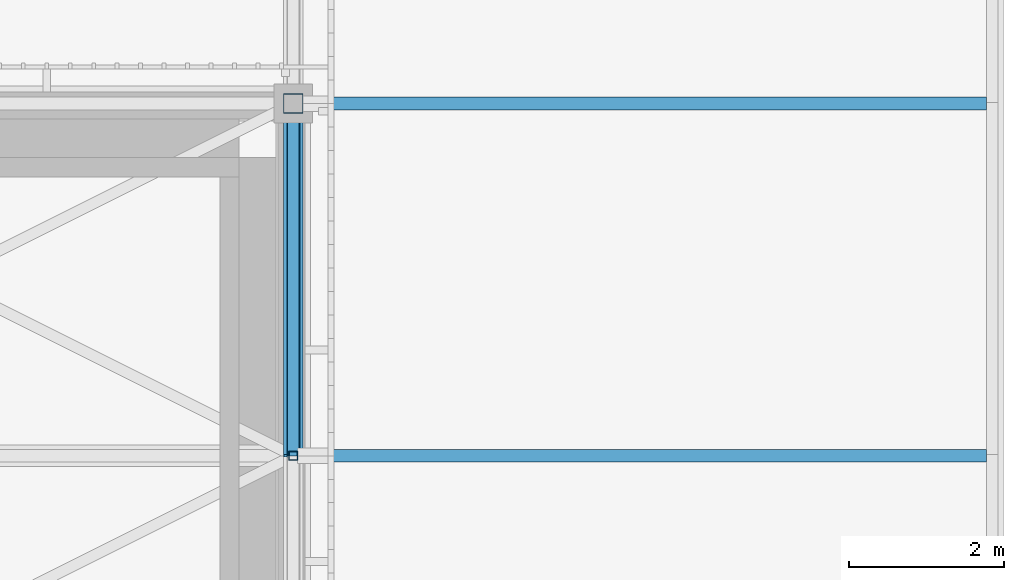
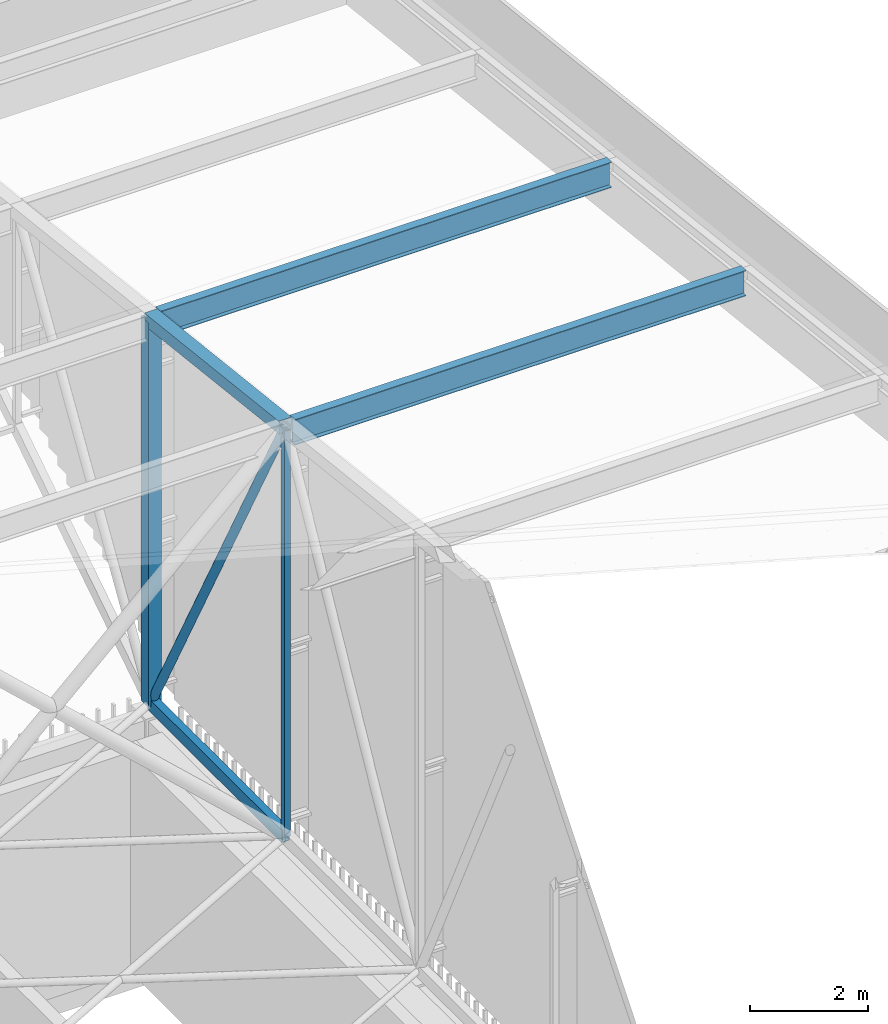
# One storey, part 407 of 500: 7 members.
"""IFC4 building model written with IfcOpenShell, lengths in metres."""

import ifcopenshell
import ifcopenshell.guid

model = None  # the IFC model being written
_history = None  # IfcOwnerHistory: only IFC2X3 demands one
_inside = {}  # id of a spatial element -> (the spatial element, [elements in it])
_under = {}  # id of a project, library or spatial element -> (it, [spatial elements below it])
_declared = {}  # id of a project -> (the project, [libraries it declares])
_typed = {}  # id of a type object -> (the type object, [elements of that type])
_made_of = {}  # id of a material, layer set ... -> (it, [elements and type objects made of it])


def new_model(schema):
    """Start an empty IFC model of exactly this schema.

    Asked for "IFC4X3", IfcOpenShell would pick the latest addendum, in which some entities
    have other attributes; the version numbers below select the first issue.
    IFC2X3 requires an IfcOwnerHistory on every rooted entity: one is made here for all.
    """
    global model, _history
    if schema == "IFC4X3":
        model = ifcopenshell.file(schema_version=(4, 3, 0, 0))
    else:
        model = ifcopenshell.file(schema=schema)
    _inside.clear()
    _under.clear()
    _declared.clear()
    _typed.clear()
    _made_of.clear()
    _history = None
    if model.schema == "IFC2X3":
        org = make("IfcOrganization", Name="unknown")
        user = make(
            "IfcPersonAndOrganization",
            ThePerson=make("IfcPerson", FamilyName="unknown"),
            TheOrganization=org,
        )
        app = make(
            "IfcApplication",
            ApplicationDeveloper=org,
            Version="unknown",
            ApplicationFullName="unknown",
            ApplicationIdentifier="unknown",
        )
        _history = make(
            "IfcOwnerHistory",
            OwningUser=user,
            OwningApplication=app,
            ChangeAction="ADDED",
            CreationDate=0,
        )
    return model


def make(cls, **values):
    """One entity of the class cls with the attributes given. An attribute that is None is left unset."""
    return model.create_entity(
        cls, **{name: value for name, value in values.items() if value is not None}
    )


def rooted(cls, **values):
    """An entity with a GlobalId (a new one), such as an element, a storey or a relation."""
    return make(cls, GlobalId=ifcopenshell.guid.new(), OwnerHistory=_history, **values)


def si_unit(unit_type, name, prefix=None):
    """IfcSIUnit, for example si_unit("LENGTHUNIT", "METRE", prefix="MILLI")."""
    return make("IfcSIUnit", UnitType=unit_type, Prefix=prefix, Name=name)


def assignment(units):
    """IfcUnitAssignment: the units of a project."""
    return None if units is None else make("IfcUnitAssignment", Units=units)


def point(xyz):
    """IfcCartesianPoint."""
    return None if xyz is None else make("IfcCartesianPoint", Coordinates=xyz)


def direction(xyz):
    """IfcDirection."""
    return None if xyz is None else make("IfcDirection", DirectionRatios=xyz)


def frame(location, z_axis=None, x_axis=None):
    """IfcAxis2Placement3D, a coordinate frame: its origin and axes. An axis left out is left unset."""
    return make(
        "IfcAxis2Placement3D",
        Location=point(location),
        Axis=direction(z_axis),
        RefDirection=direction(x_axis),
    )


def frame_2d(location, x_axis=None):
    """IfcAxis2Placement2D, a coordinate frame in the plane: its origin and x axis."""
    return make(
        "IfcAxis2Placement2D", Location=point(location), RefDirection=direction(x_axis)
    )


def origin():
    """The frame at (0, 0, 0) with its axes left unset."""
    return frame((0.0, 0.0, 0.0))


def origin_2d():
    """The frame at (0, 0) in the plane with its x axis left unset."""
    return frame_2d((0.0, 0.0))


def place(relative_to, where):
    """IfcLocalPlacement: puts the frame where relative to a parent placement (None: the world)."""
    return make(
        "IfcLocalPlacement", PlacementRelTo=relative_to, RelativePlacement=where
    )


def context(
    kind, dimensions, precision=None, world=None, true_north=None, identifier=None
):
    """IfcGeometricRepresentationContext, for example the 3D "Model" context."""
    return make(
        "IfcGeometricRepresentationContext",
        ContextIdentifier=identifier,
        ContextType=kind,
        CoordinateSpaceDimension=dimensions,
        Precision=precision,
        WorldCoordinateSystem=world,
        TrueNorth=true_north,
    )


def subcontext(parent, identifier, kind, view, scale=None):
    """IfcGeometricRepresentationSubContext, for example "Body" below "Model"."""
    return make(
        "IfcGeometricRepresentationSubContext",
        ContextIdentifier=identifier,
        ContextType=kind,
        ParentContext=parent,
        TargetScale=scale,
        TargetView=view,
    )


def project(units=None, contexts=None):
    """IfcProject with its units and contexts."""
    return rooted(
        "IfcProject",
        Name="project",
        RepresentationContexts=contexts,
        UnitsInContext=assignment(units),
    )


def spatial(cls, under=None, at=None, **own):
    """A site, building, storey or space (cls), placed at a placement, below another one or the project."""
    s = rooted(cls, ObjectPlacement=at, **own)
    if under is not None:
        _under.setdefault(under.id(), (under, []))[1].append(s)
    return s


def profile(cls, at=None, kind="AREA", **sizes):
    """A parametric profile (cls). Its sizes go by their IFC names, for example OverallWidth=200.0."""
    return make(cls, ProfileType=kind, Position=at, **sizes)


def hollow_rectangle(**sizes):
    """IfcRectangleHollowProfileDef."""
    return profile("IfcRectangleHollowProfileDef", **sizes)


def hollow_circle(**sizes):
    """IfcCircleHollowProfileDef."""
    return profile("IfcCircleHollowProfileDef", **sizes)


def i_section(**sizes):
    """IfcIShapeProfileDef."""
    return profile("IfcIShapeProfileDef", **sizes)


def extrude(swept, where, along, depth):
    """IfcExtrudedAreaSolid: the profile swept, set in the frame where, extruded along a direction by depth."""
    return make(
        "IfcExtrudedAreaSolid",
        SweptArea=swept,
        Position=where,
        ExtrudedDirection=direction(along),
        Depth=depth,
    )


def shape(context_of_items, identifier, shape_type, items):
    """IfcShapeRepresentation: the items that make up one representation, for example the "Body"."""
    return make(
        "IfcShapeRepresentation",
        ContextOfItems=context_of_items,
        RepresentationIdentifier=identifier,
        RepresentationType=shape_type,
        Items=items,
    )


def material(Name=None, Category=None):
    """IfcMaterial."""
    return make("IfcMaterial", Name=Name, Category=Category)


def material_profile(
    of_material, cross_section, Name=None, Category=None, Priority=None
):
    """IfcMaterialProfile: a cross section and its material."""
    return make(
        "IfcMaterialProfile",
        Name=Name,
        Material=of_material,
        Profile=cross_section,
        Priority=Priority,
        Category=Category,
    )


def profile_set(profiles, Name=None, composite=None):
    """IfcMaterialProfileSet."""
    return make(
        "IfcMaterialProfileSet",
        Name=Name,
        MaterialProfiles=profiles,
        CompositeProfile=composite,
    )


def made_of(thing, what):
    """Note that an element or type object is made of a material, layer set ...; save() writes the relation."""
    if what is not None:
        _made_of.setdefault(what.id(), (what, []))[1].append(thing)
    return thing


def type_object(cls, material=None, **own):
    """A type object (cls), such as IfcWallType, which elements share."""
    return made_of(rooted(cls, **own), material)


def element(
    cls,
    number,
    at=None,
    inside=None,
    cuts=None,
    type_object=None,
    material=None,
    context=None,
    identifier="Body",
    shape_type=None,
    held_by="IfcProductDefinitionShape",
    body=None,
    shapes=None,
    **own,
):
    """One element of the class cls, such as IfcWall. Its Tag is "e" and its number.

    at: its placement. inside: the storey or other place that contains it. cuts: it is an
    opening in that element (IfcRelVoidsElement). A single representation is given by context,
    identifier, shape_type and body (its items); several are given by shapes. held_by: the class
    of the entity that holds the representations. save() writes the other relations.
    """
    e = rooted(cls, Tag="e%d" % number, ObjectPlacement=at, **own)
    if body is not None:
        shapes = [shape(context, identifier, shape_type, body)]
    if shapes is not None:
        e.Representation = make(held_by, Representations=shapes)
    if inside is not None:
        _inside.setdefault(inside.id(), (inside, []))[1].append(e)
    if cuts is not None:
        rooted(
            "IfcRelVoidsElement", RelatingBuildingElement=cuts, RelatedOpeningElement=e
        )
    if type_object is not None:
        _typed.setdefault(type_object.id(), (type_object, []))[1].append(e)
    return made_of(e, material)


def aggregate(whole, parts):
    """IfcRelAggregates: a whole, such as a stair, and the parts it consists of."""
    return rooted("IfcRelAggregates", RelatingObject=whole, RelatedObjects=parts)


def save(model, path):
    """Write the relations noted so far, then the file.

    IfcRelAggregates (storeys below a building ...), IfcRelContainedInSpatialStructure (elements
    in a storey), IfcRelDefinesByType, IfcRelAssociatesMaterial and IfcRelDeclares: one each for
    every whole, place, type object, material and project.
    """
    for whole, parts in _under.values():
        aggregate(whole, parts)
    for where, things in _inside.values():
        rooted(
            "IfcRelContainedInSpatialStructure",
            RelatedElements=things,
            RelatingStructure=where,
        )
    for kind, things in _typed.values():
        rooted("IfcRelDefinesByType", RelatedObjects=things, RelatingType=kind)
    for what, things in _made_of.values():
        rooted("IfcRelAssociatesMaterial", RelatedObjects=things, RelatingMaterial=what)
    for by, libraries in _declared.values():
        rooted("IfcRelDeclares", RelatingContext=by, RelatedDefinitions=libraries)
    model.write(path)


model = new_model("IFC4")

# Units and contexts
model_context = context("Model", 3, precision=1e-05, world=origin(), true_north=direction((0.0, 1.0)))
body_context = subcontext(model_context, "Body", "Model", "MODEL_VIEW")
ifc_project = project(units=[si_unit("LENGTHUNIT", "METRE"), si_unit("AREAUNIT", "SQUARE_METRE"), si_unit("VOLUMEUNIT", "CUBIC_METRE"), si_unit("PLANEANGLEUNIT", "RADIAN"), si_unit("MASSUNIT", "GRAM", prefix="KILO")], contexts=[model_context])

# Site, building, storey
site_placement = place(None, origin())
site = spatial("IfcSite", under=ifc_project, at=site_placement, CompositionType="ELEMENT")
building_placement = place(site_placement, origin())
building = spatial("IfcBuilding", under=site, at=building_placement, Name="Shirokan Park Arena", CompositionType="ELEMENT")
storey_placement = place(building_placement, frame((0.0, 0.0, 29.1201171875)))
storey = spatial("IfcBuildingStorey", under=building, at=storey_placement, Name="L06", CompositionType="ELEMENT", Elevation=29.1201171875)

# Members
ifc_material_1 = material(Name="Steel ASTM A500 Grade C", Category="steel")
ifc_material_profile_1 = material_profile(ifc_material_1, hollow_rectangle(XDim=0.152099609375, YDim=0.25390625, WallThickness=0.009521484375, at=origin_2d()), Name="HSS254X152.4X9.5")
ifc_profile_set_1 = profile_set([ifc_material_profile_1], Name="Steel ASTM A500 Grade C")
member_type_1 = type_object("IfcMemberType", Name="Bottom chord HSS254X152.4X9.5", PredefinedType="CHORD", material=ifc_profile_set_1)
member_1_placement = place(storey_placement, frame((145.60009765625, 104.64990234375, 4.677001953125), z_axis=(0.0, 1.0, 0.0), x_axis=(-1.0, 0.0, 0.0)))
element("IfcMember", 1, at=member_1_placement, inside=storey, type_object=member_type_1, Name="Truss T17 bottom chord 26", PredefinedType="CHORD", context=body_context, shape_type="SweptSolid", body=[
    extrude(hollow_rectangle(XDim=0.152099609375, YDim=0.25390625, WallThickness=0.009521484375, at=origin_2d()), origin(), (0.0, 0.0, 1.0), 4.550048828125),
])
ifc_material_2 = material(Name="Steel ASTM A992", Category="steel")
ifc_material_profile_2 = material_profile(ifc_material_2, i_section(OverallWidth=0.166015625, OverallDepth=0.528076171875, WebThickness=0.009765625, FlangeThickness=0.013671875, at=origin_2d()), Name="W530X74")
ifc_profile_set_2 = profile_set([ifc_material_profile_2], Name="Steel ASTM A992")
member_type_2 = type_object("IfcMemberType", Name="Purlin W530X74", PredefinedType="PURLIN", material=ifc_profile_set_2)
for number, where, z_axis, x_axis, name in (
    (2, (145.72705078125, 104.64990234375, 13.005859375), (1.0, 0.0, 0.0), (0.0, 1.0, 0.0), "Eave purlin east 26"),
    (3, (145.72705078125, 109.199951171875, 12.48583984375), (1.0, 0.0, 0.0), (0.0, 1.0, 0.0), "Eave purlin east 27"),
):
    element("IfcMember", number, at=place(storey_placement, frame(where, z_axis=z_axis, x_axis=x_axis)), inside=storey, type_object=member_type_2, Name=name, PredefinedType="PURLIN", context=body_context, shape_type="SweptSolid", body=[
        extrude(i_section(OverallWidth=0.166015625, OverallDepth=0.528076171875, WebThickness=0.009765625, FlangeThickness=0.013671875, at=origin_2d()), origin(), (0.0, 0.0, 1.0), 8.824951171875),
    ])
ifc_material_profile_3 = material_profile(ifc_material_1, hollow_rectangle(XDim=0.25390625, YDim=0.25390625, WallThickness=0.009521484375, at=origin_2d()), Name="HSS254X254X9.5")
ifc_profile_set_3 = profile_set([ifc_material_profile_3], Name="Steel ASTM A500 Grade C")
member_type_3 = type_object("IfcMemberType", Name="Top chord HSS254X254X9.5", PredefinedType="CHORD", material=ifc_profile_set_3)
member_2_placement = place(storey_placement, frame((145.60009765625, 104.64990234375, 13.142822265625), z_axis=(0.0, 0.993532328996, -0.113549598152), x_axis=(-1.0, 0.0, 0.0)))
element("IfcMember", 4, at=member_2_placement, inside=storey, type_object=member_type_3, Name="Truss T17 top chord 26", PredefinedType="CHORD", context=body_context, shape_type="SweptSolid", body=[
    extrude(hollow_rectangle(XDim=0.25390625, YDim=0.25390625, WallThickness=0.009521484375, at=origin_2d()), origin(), (0.0, 0.0, 1.0), 4.57958984375),
])
ifc_material_profile_4 = material_profile(ifc_material_1, hollow_circle(Radius=0.083984375, WallThickness=0.009521484375, at=origin_2d()), Name="HSS168.3X9.5")
ifc_profile_set_4 = profile_set([ifc_material_profile_4], Name="Steel ASTM A500 Grade C")
member_type_4 = type_object("IfcMemberType", Name="Truss diagonal HSS168.3X9.5", PredefinedType="BRACE", material=ifc_profile_set_4)
member_3_placement = place(storey_placement, frame((145.60009765625, 104.64990234375, 13.142822265625), z_axis=(0.0, 0.473416507165, -0.880838697347), x_axis=(-1.0, 0.0, 0.0)))
element("IfcMember", 5, at=member_3_placement, inside=storey, type_object=member_type_4, Name="Truss T17 diagonal 26", PredefinedType="BRACE", context=body_context, shape_type="SweptSolid", body=[
    extrude(hollow_circle(Radius=0.083984375, WallThickness=0.009521484375, at=origin_2d()), origin(), (0.0, 0.0, 1.0), 9.611083984375),
])
ifc_material_profile_5 = material_profile(ifc_material_1, hollow_rectangle(XDim=0.114013671875, YDim=0.114013671875, WallThickness=0.00634765625, at=origin_2d()), Name="HSS114.3X114.3X6.4")
ifc_profile_set_5 = profile_set([ifc_material_profile_5], Name="Steel ASTM A500 Grade C")
member_type_5 = type_object("IfcMemberType", Name="Truss post HSS114.3X114.3X6.4", PredefinedType="POST", material=ifc_profile_set_5)
member_4_placement = place(storey_placement, frame((145.60009765625, 104.64990234375, 4.677001953125), z_axis=(0.0, 0.0, 1.0), x_axis=(1.0, 0.0, 0.0)))
element("IfcMember", 6, at=member_4_placement, inside=storey, type_object=member_type_5, Name="Truss T17 post 26", PredefinedType="POST", context=body_context, shape_type="SweptSolid", body=[
    extrude(hollow_rectangle(XDim=0.114013671875, YDim=0.114013671875, WallThickness=0.00634765625, at=origin_2d()), origin(), (0.0, 0.0, 1.0), 8.4658203125),
])
ifc_material_profile_6 = material_profile(ifc_material_1, hollow_rectangle(XDim=0.25390625, YDim=0.25390625, WallThickness=0.009521484375, at=origin_2d()), Name="HSS254X254X9.5")
ifc_profile_set_6 = profile_set([ifc_material_profile_6], Name="Steel ASTM A500 Grade C")
member_type_6 = type_object("IfcMemberType", Name="Truss post HSS254X254X9.5", PredefinedType="POST", material=ifc_profile_set_6)
member_5_placement = place(storey_placement, frame((145.60009765625, 109.199951171875, 4.677001953125), z_axis=(0.0, 0.0, 1.0), x_axis=(1.0, 0.0, 0.0)))
element("IfcMember", 7, at=member_5_placement, inside=storey, type_object=member_type_6, Name="Truss T17 post 27", PredefinedType="POST", context=body_context, shape_type="SweptSolid", body=[
    extrude(hollow_rectangle(XDim=0.25390625, YDim=0.25390625, WallThickness=0.009521484375, at=origin_2d()), origin(), (0.0, 0.0, 1.0), 7.94580078125),
])

save(model, "model.ifc")
